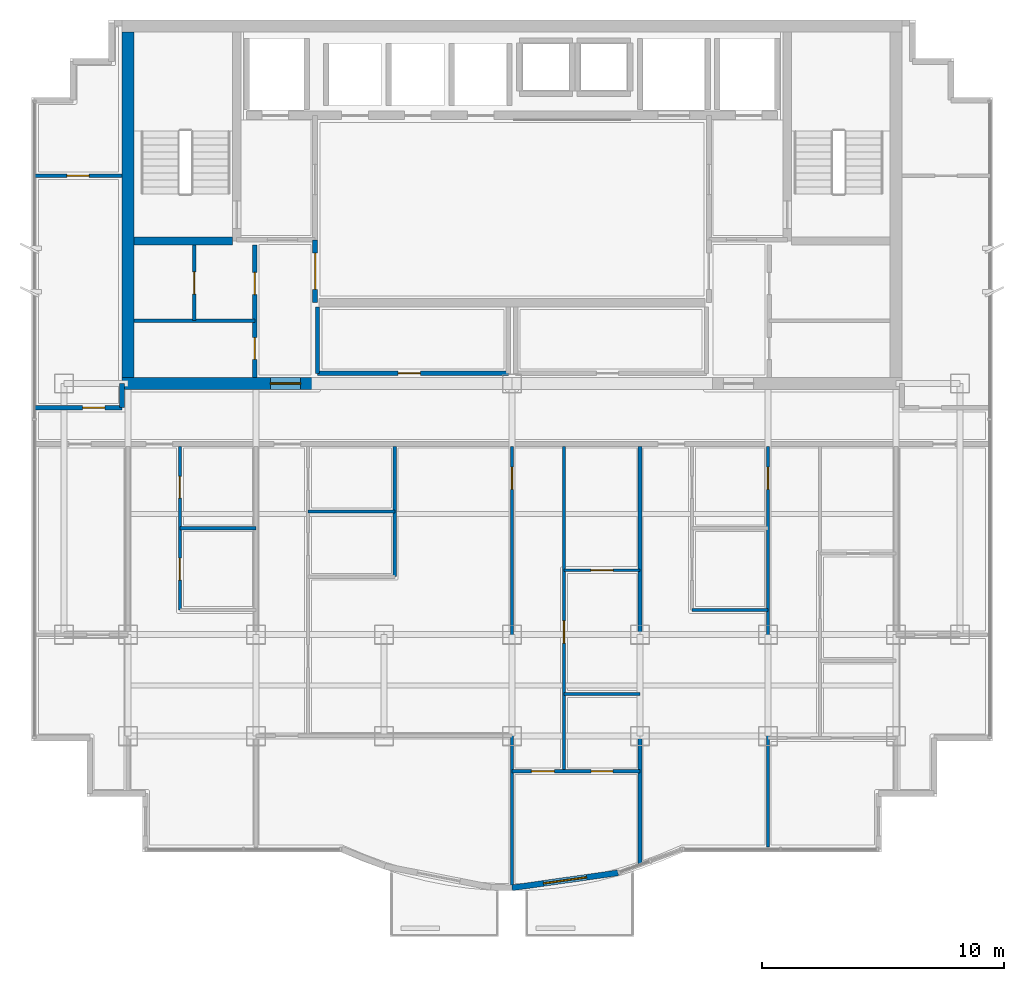
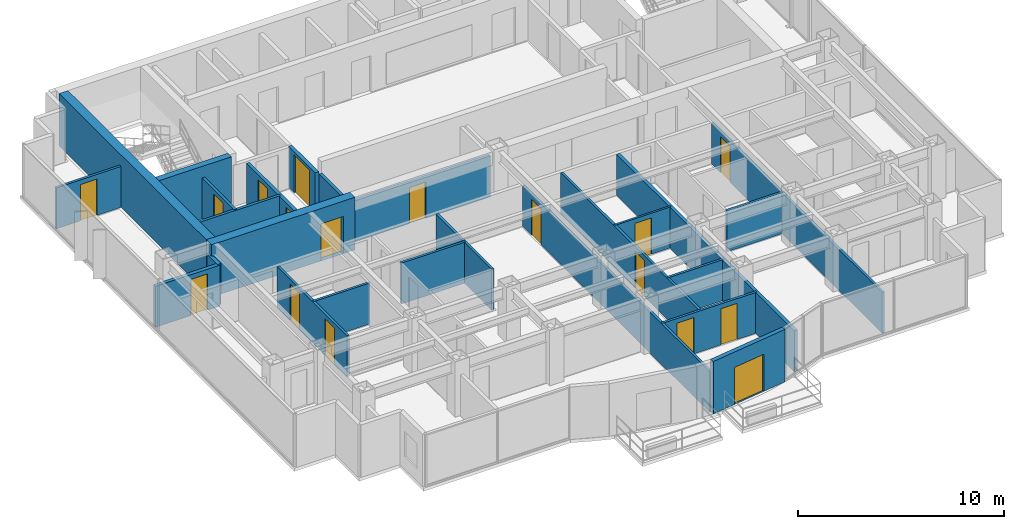
# One storey, part 7 of 12: 25 walls, 17 doors, 17 openings.
"""IFC4 building model written with IfcOpenShell, lengths in metres."""

from ifc_helpers import new_model, si_unit, direction, frame, frame_2d, origin, place, context, subcontext, project, spatial, rectangle, extrude, material, layer, layer_set, type_object, element, fill, save


model = new_model("IFC4")

# Units and contexts
model_context = context("Model", 3, precision=1e-05, world=origin(), true_north=direction((0.0, 1.0)))
body_context = subcontext(model_context, "Body", "Model", "MODEL_VIEW")
ifc_project = project(units=[si_unit("LENGTHUNIT", "METRE"), si_unit("AREAUNIT", "SQUARE_METRE"), si_unit("VOLUMEUNIT", "CUBIC_METRE"), si_unit("PLANEANGLEUNIT", "RADIAN"), si_unit("MASSUNIT", "GRAM", prefix="KILO")], contexts=[model_context])

# Site, building, storey
site_placement = place(None, origin())
site = spatial("IfcSite", under=ifc_project, at=site_placement, CompositionType="ELEMENT")
building_placement = place(site_placement, origin())
building = spatial("IfcBuilding", under=site, at=building_placement, Name="Qianlan Lanfeng Residences", CompositionType="ELEMENT")
storey_placement = place(building_placement, frame((0.0, 0.0, 200.0)))
storey = spatial("IfcBuildingStorey", under=building, at=storey_placement, Name="L54", CompositionType="ELEMENT", Elevation=200.0)

# Walls
ifc_material_1 = material(Name="Concrete C49", Category="concrete")
ifc_layer_1 = layer(ifc_material_1, 0.35009765625)
ifc_layer_set_1 = layer_set([ifc_layer_1], Name="Concrete C49")
wall_type_1 = type_object("IfcWallType", Name="CW-RC-350", PredefinedType="SHEAR", material=ifc_layer_set_1)
wall_1_placement = place(storey_placement, frame((10.85009765625, 31.10009765625, 0.0), z_axis=(0.0, 0.0, 1.0), x_axis=(1.0, 0.0, 0.0)))
element("IfcWall", 1, at=wall_1_placement, inside=storey, type_object=wall_type_1, Name="L54 Core Shear Wall ST1S", PredefinedType="SHEAR", context=body_context, shape_type="SweptSolid", body=[
    extrude(rectangle(XDim=4.074951171875, YDim=0.35009765625, at=frame_2d((2.03759765625, 0.0))), origin(), (0.0, 0.0, 1.0), 3.110107421875),
])
ifc_material_2 = material(Name="Concrete C70", Category="concrete")
ifc_layer_2 = layer(ifc_material_2, 0.5)
ifc_layer_set_2 = layer_set([ifc_layer_2], Name="Concrete C70")
wall_type_2 = type_object("IfcWallType", Name="CW-RC-500", PredefinedType="SHEAR", material=ifc_layer_set_2)
wall_2_placement = place(storey_placement, frame((10.60009765625, 25.449951171875, 0.0), z_axis=(0.0, 0.0, 1.0), x_axis=(0.0, 1.0, 0.0)))
element("IfcWall", 2, at=wall_2_placement, inside=storey, type_object=wall_type_2, Name="L54 Core Shear Wall W", PredefinedType="SHEAR", context=body_context, shape_type="SweptSolid", body=[
    extrude(rectangle(XDim=14.300048828125, YDim=0.5, at=frame_2d((7.14990234375, 0.0))), origin(), (0.0, 0.0, 1.0), 3.110107421875),
])

# Wall, opening, door
wall_3_placement = place(storey_placement, frame((10.35009765625, 25.199951171875, 0.0), z_axis=(0.0, 0.0, 1.0), x_axis=(1.0, 0.0, 0.0)))
wall_3 = element("IfcWall", 3, at=wall_3_placement, inside=storey, type_object=wall_type_2, Name="L54 Core Shear Wall SW", PredefinedType="SHEAR", context=body_context, shape_type="SweptSolid", body=[
    extrude(rectangle(XDim=8.0498046875, YDim=0.5, at=frame_2d((4.02490234375, 0.0))), origin(), (0.0, 0.0, 1.0), 3.110107421875),
])
opening_1_placement = place(wall_3_placement, frame((6.14990234375, 0.0, 0.0)))
opening_1 = element("IfcOpeningElement", 4, at=opening_1_placement, cuts=wall_3, Name="Opening L54-D01", PredefinedType="OPENING", context=body_context, shape_type="SweptSolid", body=[
    extrude(rectangle(XDim=1.25, YDim=2.199951171875, at=frame_2d((0.625, 1.10009765625))), frame((0.0, 0.260009765625, 0.0), z_axis=(0.0, -1.0, 0.0), x_axis=(1.0, 0.0, 0.0)), (0.0, 0.0, 1.0), 0.52001953125),
])
ifc_material_3 = material(Name="Painted Galvanised Steel Fire Door", Category="steel")
door_type_1 = type_object("IfcDoorType", Name="DT-FFL", OperationType="NOTDEFINED", PredefinedType="DOOR", material=ifc_material_3)
door_1_placement = place(opening_1_placement, frame((1.25, 0.0, 0.0), z_axis=(0.0, 0.0, 1.0), x_axis=(-1.0, 0.0, 0.0)))
door_1 = element("IfcDoor", 5, at=door_1_placement, inside=storey, type_object=door_type_1, Name="L54 West Core Lobby Smoke Door L54-D01 (DT-FFL)", OperationType="SINGLE_SWING_RIGHT", OverallHeight=2.199951171875, OverallWidth=1.25, PredefinedType="DOOR", context=body_context, shape_type="SweptSolid", body=[
    extrude(rectangle(XDim=1.25, YDim=2.199951171875, at=frame_2d((0.625, 1.10009765625))), frame((0.0, 0.02490234375, 0.0), z_axis=(0.0, -1.0, 0.0), x_axis=(1.0, 0.0, 0.0)), (0.0, 0.0, 1.0), 0.050048828125),
])
fill(opening_1, door_1)

ifc_material_4 = material(Name="Concrete C42", Category="concrete")
ifc_layer_3 = layer(ifc_material_4, 0.239990234375)
ifc_layer_set_3 = layer_set([ifc_layer_3], Name="Concrete C42")
wall_type_3 = type_object("IfcWallType", Name="EW-240", PredefinedType="SOLIDWALL", material=ifc_layer_set_3)
wall_4_placement = place(storey_placement, frame((26.5, 4.320068359375, 0.0), z_axis=(0.0, 0.0, 1.0), x_axis=(0.990156470874, 0.139964864115, 0.0)))
wall_4 = element("IfcWall", 6, at=wall_4_placement, inside=storey, type_object=wall_type_3, Name="L54 Terrace/Balcony Access Exterior Wall 8", PredefinedType="SOLIDWALL", context=body_context, shape_type="SweptSolid", body=[
    extrude(rectangle(XDim=4.435791015625, YDim=0.239990234375, at=frame_2d((2.2177734375, 0.0))), origin(), (0.0, 0.0, 1.0), 3.110107421875),
])
opening_2_placement = place(wall_4_placement, frame((1.318115234375, 0.0, 0.0)))
opening_2 = element("IfcOpeningElement", 7, at=opening_2_placement, cuts=wall_4, Name="Opening L54-D-SB-E", PredefinedType="OPENING", context=body_context, shape_type="SweptSolid", body=[
    extrude(rectangle(XDim=1.800048828125, YDim=2.199951171875, at=frame_2d((0.89990234375, 1.10009765625))), frame((0.0, 0.1298828125, 0.0), z_axis=(0.0, -1.0, 0.0), x_axis=(1.0, 0.0, 0.0)), (0.0, 0.0, 1.0), 0.260009765625),
])
ifc_material_5 = material(Name="Anodised Bronze Aluminium Framed Glass", Category="aluminium")
door_type_2 = type_object("IfcDoorType", Name="DT-BAL1", OperationType="NOTDEFINED", PredefinedType="DOOR", material=ifc_material_5)
door_2_placement = place(opening_2_placement, frame((1.800048828125, 0.0, 0.0), z_axis=(0.0, 0.0, 1.0), x_axis=(-1.0, 0.0, 0.0)))
door_2 = element("IfcDoor", 8, at=door_2_placement, inside=storey, type_object=door_type_2, Name="L54 Exterior Access Door SB-E", OperationType="DOUBLE_DOOR_SLIDING", OverallHeight=2.199951171875, OverallWidth=1.800048828125, PredefinedType="DOOR", context=body_context, shape_type="SweptSolid", body=[
    extrude(rectangle(XDim=1.800048828125, YDim=2.199951171875, at=frame_2d((0.89990234375, 1.10009765625))), frame((0.0, 0.02490234375, 0.0), z_axis=(0.0, -1.0, 0.0), x_axis=(1.0, 0.0, 0.0)), (0.0, 0.0, 1.0), 0.050048828125),
])
fill(opening_2, door_2)

ifc_material_6 = material(Name="Demountable Acoustic Framing Partition 110 mm")
ifc_layer_4 = layer(ifc_material_6, 0.110107421875)
ifc_layer_set_4 = layer_set([ifc_layer_4], Name="Demountable Acoustic Framing Partition 110 mm")
wall_type_4 = type_object("IfcWallType", Name="PW-110", PredefinedType="MOVABLE", material=ifc_layer_set_4)
wall_5_placement = place(storey_placement, frame((28.64990234375, 17.47412109375, 0.0), z_axis=(0.0, 0.0, 1.0), x_axis=(1.0, 0.0, 0.0)))
wall_5 = element("IfcWall", 9, at=wall_5_placement, inside=storey, type_object=wall_type_4, Name="L54 U02 Wardrobe Split", PredefinedType="MOVABLE", context=body_context, shape_type="SweptSolid", body=[
    extrude(rectangle(XDim=3.150146484375, YDim=0.110107421875, at=frame_2d((1.5751953125, 0.0))), origin(), (0.0, 0.0, 1.0), 2.429931640625),
])
opening_3_placement = place(wall_5_placement, frame((1.114990234375, 0.0, 0.0)))
opening_3 = element("IfcOpeningElement", 10, at=opening_3_placement, cuts=wall_5, Name="Opening L54-D30", PredefinedType="OPENING", context=body_context, shape_type="SweptSolid", body=[
    extrude(rectangle(XDim=0.919921875, YDim=2.14990234375, at=frame_2d((0.4599609375, 1.074951171875))), frame((0.0, 0.06494140625, 0.0), z_axis=(0.0, -1.0, 0.0), x_axis=(1.0, 0.0, 0.0)), (0.0, 0.0, 1.0), 0.130126953125),
])
ifc_material_7 = material(Name="Glazed Timber Kitchen/Study Door", Category="wood")
door_type_3 = type_object("IfcDoorType", Name="DT-INT", OperationType="NOTDEFINED", PredefinedType="DOOR", material=ifc_material_7)
door_3_placement = place(opening_3_placement, origin())
door_3 = element("IfcDoor", 11, at=door_3_placement, inside=storey, type_object=door_type_3, Name="L54 U02 Dressing Inner Door L54-D30 (DT-INT)", OperationType="SINGLE_SWING_RIGHT", OverallHeight=2.14990234375, OverallWidth=0.919921875, PredefinedType="DOOR", context=body_context, shape_type="SweptSolid", body=[
    extrude(rectangle(XDim=0.919921875, YDim=2.14990234375, at=frame_2d((0.4599609375, 1.074951171875))), frame((0.0, 0.02490234375, 0.0), z_axis=(0.0, -1.0, 0.0), x_axis=(1.0, 0.0, 0.0)), (0.0, 0.0, 1.0), 0.050048828125),
])
fill(opening_3, door_3)

# Wall, openings, doors
ifc_material_8 = material(Name="Moisture-Resistant Gypsum Partition 135 mm")
ifc_layer_5 = layer(ifc_material_8, 0.135009765625)
ifc_layer_set_5 = layer_set([ifc_layer_5], Name="Moisture-Resistant Gypsum Partition 135 mm")
wall_type_5 = type_object("IfcWallType", Name="PW-135", PredefinedType="PARTITIONING", material=ifc_layer_set_5)
wall_6_placement = place(storey_placement, frame((12.75, 15.820068359375, 0.0), z_axis=(0.0, 0.0, 1.0), x_axis=(0.0, 1.0, 0.0)))
wall_6 = element("IfcWall", 12, at=wall_6_placement, inside=storey, type_object=wall_type_5, Name="L54 U01 Wet Stack Spine", PredefinedType="PARTITIONING", context=body_context, shape_type="SweptSolid", body=[
    extrude(rectangle(XDim=6.780029296875, YDim=0.135009765625, at=frame_2d((3.39013671875, 0.0))), origin(), (0.0, 0.0, 1.0), 2.429931640625),
])
opening_4_placement = place(wall_6_placement, frame((1.235107421875, 0.0, 0.0)))
opening_4 = element("IfcOpeningElement", 13, at=opening_4_placement, cuts=wall_6, Name="Opening L54-D19", PredefinedType="OPENING", context=body_context, shape_type="SweptSolid", body=[
    extrude(rectangle(XDim=0.919921875, YDim=2.14990234375, at=frame_2d((0.4599609375, 1.074951171875))), frame((0.0, 0.07763671875, 0.0), z_axis=(0.0, -1.0, 0.0), x_axis=(1.0, 0.0, 0.0)), (0.0, 0.0, 1.0), 0.155029296875),
])
opening_5_placement = place(wall_6_placement, frame((4.635009765625, 0.0, 0.0)))
opening_5 = element("IfcOpeningElement", 14, at=opening_5_placement, cuts=wall_6, Name="Opening L54-D20", PredefinedType="OPENING", context=body_context, shape_type="SweptSolid", body=[
    extrude(rectangle(XDim=0.89990234375, YDim=2.14990234375, at=frame_2d((0.449951171875, 1.074951171875))), frame((0.0, 0.07763671875, 0.0), z_axis=(0.0, -1.0, 0.0), x_axis=(1.0, 0.0, 0.0)), (0.0, 0.0, 1.0), 0.155029296875),
])
door_4_placement = place(opening_4_placement, origin())
door_4 = element("IfcDoor", 15, at=door_4_placement, inside=storey, type_object=door_type_3, Name="L54 U01 Kitchen Door L54-D19 (DT-INT)", OperationType="SINGLE_SWING_LEFT", OverallHeight=2.14990234375, OverallWidth=0.919921875, PredefinedType="DOOR", context=body_context, shape_type="SweptSolid", body=[
    extrude(rectangle(XDim=0.919921875, YDim=2.14990234375, at=frame_2d((0.4599609375, 1.074951171875))), frame((0.0, 0.02490234375, 0.0), z_axis=(0.0, -1.0, 0.0), x_axis=(1.0, 0.0, 0.0)), (0.0, 0.0, 1.0), 0.050048828125),
])
fill(opening_4, door_4)
ifc_material_9 = material(Name="Moisture-Resistant Timber Leaf", Category="wood")
door_type_4 = type_object("IfcDoorType", Name="DT-WC", OperationType="NOTDEFINED", PredefinedType="DOOR", material=ifc_material_9)
door_5_placement = place(opening_5_placement, origin())
door_5 = element("IfcDoor", 16, at=door_5_placement, inside=storey, type_object=door_type_4, Name="L54 U01 Bathroom Door L54-D20 (DT-WC)", OperationType="SINGLE_SWING_RIGHT", OverallHeight=2.14990234375, OverallWidth=0.89990234375, PredefinedType="DOOR", context=body_context, shape_type="SweptSolid", body=[
    extrude(rectangle(XDim=0.89990234375, YDim=2.14990234375, at=frame_2d((0.449951171875, 1.074951171875))), frame((0.0, 0.02490234375, 0.0), z_axis=(0.0, -1.0, 0.0), x_axis=(1.0, 0.0, 0.0)), (0.0, 0.0, 1.0), 0.050048828125),
])
fill(opening_5, door_5)

# Wall
wall_7_placement = place(storey_placement, frame((12.75, 19.2099609375, 0.0), z_axis=(0.0, 0.0, 1.0), x_axis=(1.0, 0.0, 0.0)))
element("IfcWall", 17, at=wall_7_placement, inside=storey, type_object=wall_type_5, Name="L54 U01 Bathroom South Wall", PredefinedType="PARTITIONING", context=body_context, shape_type="SweptSolid", body=[
    extrude(rectangle(XDim=3.14990234375, YDim=0.135009765625, at=frame_2d((1.574951171875, 0.0))), origin(), (0.0, 0.0, 1.0), 2.429931640625),
])

# Wall, opening, door
wall_8_placement = place(storey_placement, frame((26.5, 4.419921875, 0.0), z_axis=(0.0, 0.0, 1.0), x_axis=(0.0, 1.0, 0.0)))
wall_8 = element("IfcWall", 18, at=wall_8_placement, inside=storey, type_object=wall_type_5, Name="L54 U02 Bay Spine Wall 1", PredefinedType="PARTITIONING", context=body_context, shape_type="SweptSolid", body=[
    extrude(rectangle(XDim=18.18017578125, YDim=0.135009765625, at=frame_2d((9.090087890625, 0.0))), origin(), (0.0, 0.0, 1.0), 2.429931640625),
])
opening_6_placement = place(wall_8_placement, frame((16.39501953125, 0.0, 0.0)))
opening_6 = element("IfcOpeningElement", 19, at=opening_6_placement, cuts=wall_8, Name="Opening L54-D22", PredefinedType="OPENING", context=body_context, shape_type="SweptSolid", body=[
    extrude(rectangle(XDim=0.919921875, YDim=2.14990234375, at=frame_2d((0.4599609375, 1.074951171875))), frame((0.0, 0.07763671875, 0.0), z_axis=(0.0, -1.0, 0.0), x_axis=(1.0, 0.0, 0.0)), (0.0, 0.0, 1.0), 0.155029296875),
])
door_6_placement = place(opening_6_placement, origin())
door_6 = element("IfcDoor", 20, at=door_6_placement, inside=storey, type_object=door_type_3, Name="L54 U02 Internal Hall Door L54-D22 (DT-INT)", OperationType="SINGLE_SWING_RIGHT", OverallHeight=2.14990234375, OverallWidth=0.919921875, PredefinedType="DOOR", context=body_context, shape_type="SweptSolid", body=[
    extrude(rectangle(XDim=0.919921875, YDim=2.14990234375, at=frame_2d((0.4599609375, 1.074951171875))), frame((0.0, 0.02490234375, 0.0), z_axis=(0.0, -1.0, 0.0), x_axis=(1.0, 0.0, 0.0)), (0.0, 0.0, 1.0), 0.050048828125),
])
fill(opening_6, door_6)

# Walls
wall_9_placement = place(storey_placement, frame((21.64990234375, 17.199951171875, 0.0), z_axis=(0.0, 0.0, 1.0), x_axis=(0.0, 1.0, 0.0)))
element("IfcWall", 21, at=wall_9_placement, inside=storey, type_object=wall_type_5, Name="L54 U02 Dining East Wall", PredefinedType="PARTITIONING", context=body_context, shape_type="SweptSolid", body=[
    extrude(rectangle(XDim=5.400146484375, YDim=0.135009765625, at=frame_2d((2.7001953125, 0.0))), origin(), (0.0, 0.0, 1.0), 2.429931640625),
])
wall_10_placement = place(storey_placement, frame((18.050048828125, 19.89990234375, 0.0), z_axis=(0.0, 0.0, 1.0), x_axis=(1.0, 0.0, 0.0)))
element("IfcWall", 22, at=wall_10_placement, inside=storey, type_object=wall_type_5, Name="L54 U02 Bathroom South Wall", PredefinedType="PARTITIONING", context=body_context, shape_type="SweptSolid", body=[
    extrude(rectangle(XDim=3.599853515625, YDim=0.135009765625, at=frame_2d((1.7998046875, 0.0))), origin(), (0.0, 0.0, 1.0), 2.429931640625),
])

# Wall, openings, doors
wall_11_placement = place(storey_placement, frame((26.5, 9.14794921875, 0.0), z_axis=(0.0, 0.0, 1.0), x_axis=(1.0, 0.0, 0.0)))
wall_11 = element("IfcWall", 23, at=wall_11_placement, inside=storey, type_object=wall_type_5, Name="L54 U02 Master Bedroom North Wall", PredefinedType="PARTITIONING", context=body_context, shape_type="SweptSolid", body=[
    extrude(rectangle(XDim=5.300048828125, YDim=0.135009765625, at=frame_2d((2.64990234375, 0.0))), origin(), (0.0, 0.0, 1.0), 2.429931640625),
])
opening_7_placement = place(wall_11_placement, frame((0.800048828125, 0.0, 0.0)))
opening_7 = element("IfcOpeningElement", 24, at=opening_7_placement, cuts=wall_11, Name="Opening L54-D27", PredefinedType="OPENING", context=body_context, shape_type="SweptSolid", body=[
    extrude(rectangle(XDim=0.949951171875, YDim=2.14990234375, at=frame_2d((0.47509765625, 1.074951171875))), frame((0.0, 0.07763671875, 0.0), z_axis=(0.0, -1.0, 0.0), x_axis=(1.0, 0.0, 0.0)), (0.0, 0.0, 1.0), 0.155029296875),
])
opening_8_placement = place(wall_11_placement, frame((3.27490234375, 0.0, 0.0)))
opening_8 = element("IfcOpeningElement", 25, at=opening_8_placement, cuts=wall_11, Name="Opening L54-D28", PredefinedType="OPENING", context=body_context, shape_type="SweptSolid", body=[
    extrude(rectangle(XDim=0.89990234375, YDim=2.14990234375, at=frame_2d((0.449951171875, 1.074951171875))), frame((0.0, 0.07763671875, 0.0), z_axis=(0.0, -1.0, 0.0), x_axis=(1.0, 0.0, 0.0)), (0.0, 0.0, 1.0), 0.155029296875),
])
ifc_material_10 = material(Name="Painted Solid-Core Timber Leaf", Category="wood")
door_type_5 = type_object("IfcDoorType", Name="DT-BED", OperationType="NOTDEFINED", PredefinedType="DOOR", material=ifc_material_10)
door_7_placement = place(opening_7_placement, origin())
door_7 = element("IfcDoor", 26, at=door_7_placement, inside=storey, type_object=door_type_5, Name="L54 U02 Master Bedroom Door L54-D27 (DT-BED)", OperationType="SINGLE_SWING_LEFT", OverallHeight=2.14990234375, OverallWidth=0.949951171875, PredefinedType="DOOR", context=body_context, shape_type="SweptSolid", body=[
    extrude(rectangle(XDim=0.949951171875, YDim=2.14990234375, at=frame_2d((0.47509765625, 1.074951171875))), frame((0.0, 0.02490234375, 0.0), z_axis=(0.0, -1.0, 0.0), x_axis=(1.0, 0.0, 0.0)), (0.0, 0.0, 1.0), 0.050048828125),
])
fill(opening_7, door_7)
door_8_placement = place(opening_8_placement, origin())
door_8 = element("IfcDoor", 27, at=door_8_placement, inside=storey, type_object=door_type_4, Name="L54 U02 En-Suite Bathroom Door L54-D28 (DT-WC)", OperationType="SINGLE_SWING_RIGHT", OverallHeight=2.14990234375, OverallWidth=0.89990234375, PredefinedType="DOOR", context=body_context, shape_type="SweptSolid", body=[
    extrude(rectangle(XDim=0.89990234375, YDim=2.14990234375, at=frame_2d((0.449951171875, 1.074951171875))), frame((0.0, 0.02490234375, 0.0), z_axis=(0.0, -1.0, 0.0), x_axis=(1.0, 0.0, 0.0)), (0.0, 0.0, 1.0), 0.050048828125),
])
fill(opening_8, door_8)

# Wall, opening, door
wall_12_placement = place(storey_placement, frame((28.64990234375, 9.14794921875, 0.0), z_axis=(0.0, 0.0, 1.0), x_axis=(0.0, 1.0, 0.0)))
wall_12 = element("IfcWall", 28, at=wall_12_placement, inside=storey, type_object=wall_type_5, Name="L54 U02 Master Passage Wall", PredefinedType="PARTITIONING", context=body_context, shape_type="SweptSolid", body=[
    extrude(rectangle(XDim=13.4521484375, YDim=0.135009765625, at=frame_2d((6.72607421875, 0.0))), origin(), (0.0, 0.0, 1.0), 2.429931640625),
])
opening_9_placement = place(wall_12_placement, frame((5.302978515625, 0.0, 0.0)))
opening_9 = element("IfcOpeningElement", 29, at=opening_9_placement, cuts=wall_12, Name="Opening L54-D29", PredefinedType="OPENING", context=body_context, shape_type="SweptSolid", body=[
    extrude(rectangle(XDim=0.919921875, YDim=2.14990234375, at=frame_2d((0.4599609375, 1.074951171875))), frame((0.0, 0.07763671875, 0.0), z_axis=(0.0, -1.0, 0.0), x_axis=(1.0, 0.0, 0.0)), (0.0, 0.0, 1.0), 0.155029296875),
])
door_9_placement = place(opening_9_placement, origin())
door_9 = element("IfcDoor", 30, at=door_9_placement, inside=storey, type_object=door_type_3, Name="L54 U02 Wardrobe Door L54-D29 (DT-INT)", OperationType="SINGLE_SWING_LEFT", OverallHeight=2.14990234375, OverallWidth=0.919921875, PredefinedType="DOOR", context=body_context, shape_type="SweptSolid", body=[
    extrude(rectangle(XDim=0.919921875, YDim=2.14990234375, at=frame_2d((0.4599609375, 1.074951171875))), frame((0.0, 0.02490234375, 0.0), z_axis=(0.0, -1.0, 0.0), x_axis=(1.0, 0.0, 0.0)), (0.0, 0.0, 1.0), 0.050048828125),
])
fill(opening_9, door_9)

# Wall
wall_13_placement = place(storey_placement, frame((28.64990234375, 12.347900390625, 0.0), z_axis=(0.0, 0.0, 1.0), x_axis=(1.0, 0.0, 0.0)))
element("IfcWall", 31, at=wall_13_placement, inside=storey, type_object=wall_type_5, Name="L54 U02 En-Suite North Wall", PredefinedType="PARTITIONING", context=body_context, shape_type="SweptSolid", body=[
    extrude(rectangle(XDim=3.150146484375, YDim=0.135009765625, at=frame_2d((1.5751953125, 0.0))), origin(), (0.0, 0.0, 1.0), 2.429931640625),
])

# Wall, opening, door
wall_14_placement = place(storey_placement, frame((37.10009765625, 6.02001953125, 0.0), z_axis=(0.0, 0.0, 1.0), x_axis=(0.0, 1.0, 0.0)))
wall_14 = element("IfcWall", 32, at=wall_14_placement, inside=storey, type_object=wall_type_5, Name="L54 U03 Bay Spine Wall 1", PredefinedType="PARTITIONING", context=body_context, shape_type="SweptSolid", body=[
    extrude(rectangle(XDim=16.580078125, YDim=0.135009765625, at=frame_2d((8.2900390625, 0.0))), origin(), (0.0, 0.0, 1.0), 2.429931640625),
])
opening_10_placement = place(wall_14_placement, frame((14.794921875, 0.0, 0.0)))
opening_10 = element("IfcOpeningElement", 33, at=opening_10_placement, cuts=wall_14, Name="Opening L54-D32", PredefinedType="OPENING", context=body_context, shape_type="SweptSolid", body=[
    extrude(rectangle(XDim=0.919921875, YDim=2.14990234375, at=frame_2d((0.4599609375, 1.074951171875))), frame((0.0, 0.07763671875, 0.0), z_axis=(0.0, -1.0, 0.0), x_axis=(1.0, 0.0, 0.0)), (0.0, 0.0, 1.0), 0.155029296875),
])
door_10_placement = place(opening_10_placement, origin())
door_10 = element("IfcDoor", 34, at=door_10_placement, inside=storey, type_object=door_type_3, Name="L54 U03 Internal Hall Door L54-D32 (DT-INT)", OperationType="SINGLE_SWING_RIGHT", OverallHeight=2.14990234375, OverallWidth=0.919921875, PredefinedType="DOOR", context=body_context, shape_type="SweptSolid", body=[
    extrude(rectangle(XDim=0.919921875, YDim=2.14990234375, at=frame_2d((0.4599609375, 1.074951171875))), frame((0.0, 0.02490234375, 0.0), z_axis=(0.0, -1.0, 0.0), x_axis=(1.0, 0.0, 0.0)), (0.0, 0.0, 1.0), 0.050048828125),
])
fill(opening_10, door_10)

# Wall
wall_15_placement = place(storey_placement, frame((33.949951171875, 15.820068359375, 0.0), z_axis=(0.0, 0.0, 1.0), x_axis=(1.0, 0.0, 0.0)))
element("IfcWall", 35, at=wall_15_placement, inside=storey, type_object=wall_type_5, Name="L54 U03 Kitchen South Wall", PredefinedType="PARTITIONING", context=body_context, shape_type="SweptSolid", body=[
    extrude(rectangle(XDim=3.150146484375, YDim=0.135009765625, at=frame_2d((1.5751953125, 0.0))), origin(), (0.0, 0.0, 1.0), 2.429931640625),
])

# Wall, opening, door
wall_16_placement = place(storey_placement, frame((6.719970703125, 33.800048828125, 0.0), z_axis=(0.0, 0.0, 1.0), x_axis=(1.0, 0.0, 0.0)))
wall_16 = element("IfcWall", 36, at=wall_16_placement, inside=storey, type_object=wall_type_5, Name="L54 WW North Wing Wall", PredefinedType="PARTITIONING", context=body_context, shape_type="SweptSolid", body=[
    extrude(rectangle(XDim=3.630126953125, YDim=0.135009765625, at=frame_2d((1.81494140625, 0.0))), origin(), (0.0, 0.0, 1.0), 2.429931640625),
])
opening_11_placement = place(wall_16_placement, frame((1.35498046875, 0.0, 0.0)))
opening_11 = element("IfcOpeningElement", 37, at=opening_11_placement, cuts=wall_16, Name="Opening L54-D43", PredefinedType="OPENING", context=body_context, shape_type="SweptSolid", body=[
    extrude(rectangle(XDim=0.919921875, YDim=2.14990234375, at=frame_2d((0.4599609375, 1.074951171875))), frame((0.0, 0.07763671875, 0.0), z_axis=(0.0, -1.0, 0.0), x_axis=(1.0, 0.0, 0.0)), (0.0, 0.0, 1.0), 0.155029296875),
])
door_11_placement = place(opening_11_placement, origin())
door_11 = element("IfcDoor", 38, at=door_11_placement, inside=storey, type_object=door_type_3, Name="L54 WW Inner Salon Door L54-D43 (DT-INT)", OperationType="SINGLE_SWING_LEFT", OverallHeight=2.14990234375, OverallWidth=0.919921875, PredefinedType="DOOR", context=body_context, shape_type="SweptSolid", body=[
    extrude(rectangle(XDim=0.919921875, YDim=2.14990234375, at=frame_2d((0.4599609375, 1.074951171875))), frame((0.0, 0.02490234375, 0.0), z_axis=(0.0, -1.0, 0.0), x_axis=(1.0, 0.0, 0.0)), (0.0, 0.0, 1.0), 0.050048828125),
])
fill(opening_11, door_11)

# Wall
ifc_material_11 = material(Name="Acoustic Drywall Partition 150 mm")
ifc_layer_6 = layer(ifc_material_11, 0.14990234375)
ifc_layer_set_6 = layer_set([ifc_layer_6], Name="Acoustic Drywall Partition 150 mm")
wall_type_6 = type_object("IfcWallType", Name="PW-150", PredefinedType="PARTITIONING", material=ifc_layer_set_6)
wall_17_placement = place(storey_placement, frame((10.85009765625, 27.800048828125, 0.0), z_axis=(0.0, 0.0, 1.0), x_axis=(1.0, 0.0, 0.0)))
element("IfcWall", 39, at=wall_17_placement, inside=storey, type_object=wall_type_6, Name="L54 Core West H4", PredefinedType="PARTITIONING", context=body_context, shape_type="SweptSolid", body=[
    extrude(rectangle(XDim=5.0, YDim=0.14990234375, at=frame_2d((2.5, 0.0))), origin(), (0.0, 0.0, 1.0), 2.429931640625),
])

# Wall, opening, door
wall_18_placement = place(storey_placement, frame((13.35009765625, 27.800048828125, 0.0), z_axis=(0.0, 0.0, 1.0), x_axis=(0.0, 1.0, 0.0)))
wall_18 = element("IfcWall", 40, at=wall_18_placement, inside=storey, type_object=wall_type_6, Name="L54 Core West V4", PredefinedType="PARTITIONING", context=body_context, shape_type="SweptSolid", body=[
    extrude(rectangle(XDim=3.125, YDim=0.14990234375, at=frame_2d((1.5625, 0.0))), origin(), (0.0, 0.0, 1.0), 2.429931640625),
])
opening_12_placement = place(wall_18_placement, frame((1.10302734375, 0.0, 0.0)))
opening_12 = element("IfcOpeningElement", 41, at=opening_12_placement, cuts=wall_18, Name="Opening L54-D11", PredefinedType="OPENING", context=body_context, shape_type="SweptSolid", body=[
    extrude(rectangle(XDim=0.919921875, YDim=2.14990234375, at=frame_2d((0.4599609375, 1.074951171875))), frame((0.0, 0.0849609375, 0.0), z_axis=(0.0, -1.0, 0.0), x_axis=(1.0, 0.0, 0.0)), (0.0, 0.0, 1.0), 0.169921875),
])
door_12_placement = place(opening_12_placement, origin())
door_12 = element("IfcDoor", 42, at=door_12_placement, inside=storey, type_object=door_type_3, Name="L54 Linen Store Door L54-D11 (DT-INT)", OperationType="SINGLE_SWING_LEFT", OverallHeight=2.14990234375, OverallWidth=0.919921875, PredefinedType="DOOR", context=body_context, shape_type="SweptSolid", body=[
    extrude(rectangle(XDim=0.919921875, YDim=2.14990234375, at=frame_2d((0.4599609375, 1.074951171875))), frame((0.0, 0.02490234375, 0.0), z_axis=(0.0, -1.0, 0.0), x_axis=(1.0, 0.0, 0.0)), (0.0, 0.0, 1.0), 0.050048828125),
])
fill(opening_12, door_12)

# Wall, openings, doors
ifc_material_12 = material(Name="Double-Layer Acoustic Gypsum Stud Wall 180 mm")
ifc_layer_7 = layer(ifc_material_12, 0.179931640625)
ifc_layer_set_7 = layer_set([ifc_layer_7], Name="Double-Layer Acoustic Gypsum Stud Wall 180 mm")
wall_type_7 = type_object("IfcWallType", Name="PW-180", PredefinedType="PARTITIONING", material=ifc_layer_set_7)
wall_19_placement = place(storey_placement, frame((15.85009765625, 25.449951171875, 0.0), z_axis=(0.0, 0.0, 1.0), x_axis=(0.0, 1.0, 0.0)))
wall_19 = element("IfcWall", 43, at=wall_19_placement, inside=storey, type_object=wall_type_7, Name="L54 Core West Service Room Wall", PredefinedType="PARTITIONING", context=body_context, shape_type="SweptSolid", body=[
    extrude(rectangle(XDim=5.47509765625, YDim=0.179931640625, at=frame_2d((2.737548828125, 0.0))), origin(), (0.0, 0.0, 1.0), 2.429931640625),
])
opening_13_placement = place(wall_19_placement, frame((0.75, 0.0, 0.0)))
opening_13 = element("IfcOpeningElement", 44, at=opening_13_placement, cuts=wall_19, Name="Opening L54-D09", PredefinedType="OPENING", context=body_context, shape_type="SweptSolid", body=[
    extrude(rectangle(XDim=0.89990234375, YDim=2.14990234375, at=frame_2d((0.449951171875, 1.074951171875))), frame((0.0, 0.10009765625, 0.0), z_axis=(0.0, -1.0, 0.0), x_axis=(1.0, 0.0, 0.0)), (0.0, 0.0, 1.0), 0.199951171875),
])
opening_14_placement = place(wall_19_placement, frame((3.427001953125, 0.0, 0.0)))
opening_14 = element("IfcOpeningElement", 45, at=opening_14_placement, cuts=wall_19, Name="Opening L54-D10", PredefinedType="OPENING", context=body_context, shape_type="SweptSolid", body=[
    extrude(rectangle(XDim=0.919921875, YDim=2.14990234375, at=frame_2d((0.4599609375, 1.074951171875))), frame((0.0, 0.10009765625, 0.0), z_axis=(0.0, -1.0, 0.0), x_axis=(1.0, 0.0, 0.0)), (0.0, 0.0, 1.0), 0.199951171875),
])
door_13_placement = place(opening_14_placement, origin())
door_13 = element("IfcDoor", 46, at=door_13_placement, inside=storey, type_object=door_type_3, Name="L54 Janitor Hall Door L54-D10 (DT-INT)", OperationType="SINGLE_SWING_RIGHT", OverallHeight=2.14990234375, OverallWidth=0.919921875, PredefinedType="DOOR", context=body_context, shape_type="SweptSolid", body=[
    extrude(rectangle(XDim=0.919921875, YDim=2.14990234375, at=frame_2d((0.4599609375, 1.074951171875))), frame((0.0, 0.02490234375, 0.0), z_axis=(0.0, -1.0, 0.0), x_axis=(1.0, 0.0, 0.0)), (0.0, 0.0, 1.0), 0.050048828125),
])
fill(opening_14, door_13)
door_14_placement = place(opening_13_placement, origin())
door_14 = element("IfcDoor", 47, at=door_14_placement, inside=storey, type_object=door_type_4, Name="L54 Staff WC Door L54-D09 (DT-WC)", OperationType="SINGLE_SWING_LEFT", OverallHeight=2.14990234375, OverallWidth=0.89990234375, PredefinedType="DOOR", context=body_context, shape_type="SweptSolid", body=[
    extrude(rectangle(XDim=0.89990234375, YDim=2.14990234375, at=frame_2d((0.449951171875, 1.074951171875))), frame((0.0, 0.02490234375, 0.0), z_axis=(0.0, -1.0, 0.0), x_axis=(1.0, 0.0, 0.0)), (0.0, 0.0, 1.0), 0.050048828125),
])
fill(opening_13, door_14)

# Wall
wall_20_placement = place(storey_placement, frame((18.449951171875, 25.6201171875, 0.0), z_axis=(0.0, 0.0, 1.0), x_axis=(0.0, 1.0, 0.0)))
element("IfcWall", 48, at=wall_20_placement, inside=storey, type_object=wall_type_7, Name="L54 Reclaimed Low-Bank Room West Wall", PredefinedType="PARTITIONING", context=body_context, shape_type="SweptSolid", body=[
    extrude(rectangle(XDim=2.7548828125, YDim=0.179931640625, at=frame_2d((1.37744140625, 0.0))), origin(), (0.0, 0.0, 1.0), 2.429931640625),
])

# Wall, opening, door
wall_21_placement = place(storey_placement, frame((18.449951171875, 25.6201171875, 0.0), z_axis=(0.0, 0.0, 1.0), x_axis=(1.0, 0.0, 0.0)))
wall_21 = element("IfcWall", 49, at=wall_21_placement, inside=storey, type_object=wall_type_7, Name="L54 Reclaimed Low-Bank Room South Wall", PredefinedType="PARTITIONING", context=body_context, shape_type="SweptSolid", body=[
    extrude(rectangle(XDim=7.900146484375, YDim=0.179931640625, at=frame_2d((3.9501953125, 0.0))), origin(), (0.0, 0.0, 1.0), 2.429931640625),
])
opening_15_placement = place(wall_21_placement, frame((3.340087890625, 0.0, 0.0)))
opening_15 = element("IfcOpeningElement", 50, at=opening_15_placement, cuts=wall_21, Name="Opening L54-D16", PredefinedType="OPENING", context=body_context, shape_type="SweptSolid", body=[
    extrude(rectangle(XDim=0.919921875, YDim=2.14990234375, at=frame_2d((0.4599609375, 1.074951171875))), frame((0.0, 0.10009765625, 0.0), z_axis=(0.0, -1.0, 0.0), x_axis=(1.0, 0.0, 0.0)), (0.0, 0.0, 1.0), 0.199951171875),
])
door_15_placement = place(opening_15_placement, origin())
door_15 = element("IfcDoor", 51, at=door_15_placement, inside=storey, type_object=door_type_3, Name="L54 Reclaimed Core Salon Door L54-D16 (DT-INT)", OperationType="SINGLE_SWING_RIGHT", OverallHeight=2.14990234375, OverallWidth=0.919921875, PredefinedType="DOOR", context=body_context, shape_type="SweptSolid", body=[
    extrude(rectangle(XDim=0.919921875, YDim=2.14990234375, at=frame_2d((0.4599609375, 1.074951171875))), frame((0.0, 0.02490234375, 0.0), z_axis=(0.0, -1.0, 0.0), x_axis=(1.0, 0.0, 0.0)), (0.0, 0.0, 1.0), 0.050048828125),
])
fill(opening_15, door_15)

# Wall
wall_22_placement = place(storey_placement, frame((31.800048828125, 5.3310546875, 0.0), z_axis=(0.0, 0.0, 1.0), x_axis=(0.0, 1.0, 0.0)))
element("IfcWall", 52, at=wall_22_placement, inside=storey, type_object=wall_type_7, Name="L54 Inter-Tenancy Party Wall 3", PredefinedType="PARTITIONING", context=body_context, shape_type="SweptSolid", body=[
    extrude(rectangle(XDim=17.26904296875, YDim=0.179931640625, at=frame_2d((8.634521484375, 0.0))), origin(), (0.0, 0.0, 1.0), 2.429931640625),
])

# Wall, opening, door
ifc_material_13 = material(Name="Autoclaved Aerated Concrete Blockwork 200 mm", Category="masonry")
ifc_layer_8 = layer(ifc_material_13, 0.199951171875)
ifc_layer_set_8 = layer_set([ifc_layer_8], Name="Autoclaved Aerated Concrete Blockwork 200 mm")
wall_type_8 = type_object("IfcWallType", Name="PW-200", PredefinedType="PARTITIONING", material=ifc_layer_set_8)
wall_23_placement = place(storey_placement, frame((18.35009765625, 28.550048828125, 0.0), z_axis=(0.0, 0.0, 1.0), x_axis=(0.0, 1.0, 0.0)))
wall_23 = element("IfcWall", 53, at=wall_23_placement, inside=storey, type_object=wall_type_8, Name="L54 Lift Lobby West Connector Wall", PredefinedType="PARTITIONING", context=body_context, shape_type="SweptSolid", body=[
    extrude(rectangle(XDim=2.599853515625, YDim=0.199951171875, at=frame_2d((1.2998046875, 0.0))), origin(), (0.0, 0.0, 1.0), 2.429931640625),
])
opening_16_placement = place(wall_23_placement, frame((0.550048828125, 0.0, 0.0)))
opening_16 = element("IfcOpeningElement", 54, at=opening_16_placement, cuts=wall_23, Name="Opening L54-D14", PredefinedType="OPENING", context=body_context, shape_type="SweptSolid", body=[
    extrude(rectangle(XDim=1.5, YDim=2.25, at=frame_2d((0.75, 1.125))), frame((0.0, 0.10986328125, 0.0), z_axis=(0.0, -1.0, 0.0), x_axis=(1.0, 0.0, 0.0)), (0.0, 0.0, 1.0), 0.219970703125),
])
ifc_material_14 = material(Name="Timber Veneer Acoustic Fire Door", Category="wood")
door_type_6 = type_object("IfcDoorType", Name="DT-COR1", OperationType="NOTDEFINED", PredefinedType="DOOR", material=ifc_material_14)
door_16_placement = place(opening_16_placement, origin())
door_16 = element("IfcDoor", 55, at=door_16_placement, inside=storey, type_object=door_type_6, Name="L54 Lift Lobby West Portal Door L54-D14 (DT-COR1)", OperationType="DOUBLE_DOOR_SINGLE_SWING", OverallHeight=2.25, OverallWidth=1.5, PredefinedType="DOOR", context=body_context, shape_type="SweptSolid", body=[
    extrude(rectangle(XDim=1.5, YDim=2.25, at=frame_2d((0.75, 1.125))), frame((0.0, 0.02490234375, 0.0), z_axis=(0.0, -1.0, 0.0), x_axis=(1.0, 0.0, 0.0)), (0.0, 0.0, 1.0), 0.050048828125),
])
fill(opening_16, door_16)

wall_24_placement = place(storey_placement, frame((6.719970703125, 24.199951171875, 0.0), z_axis=(0.0, 0.0, 1.0), x_axis=(1.0, 0.0, 0.0)))
wall_24 = element("IfcWall", 56, at=wall_24_placement, inside=storey, type_object=wall_type_8, Name="L54 Corridor NW Wall", PredefinedType="PARTITIONING", context=body_context, shape_type="SweptSolid", body=[
    extrude(rectangle(XDim=3.630126953125, YDim=0.199951171875, at=frame_2d((1.81494140625, 0.0))), origin(), (0.0, 0.0, 1.0), 2.429931640625),
])
opening_17_placement = place(wall_24_placement, frame((2.0048828125, 0.0, 0.0)))
opening_17 = element("IfcOpeningElement", 57, at=opening_17_placement, cuts=wall_24, Name="Opening L54-D44", PredefinedType="OPENING", context=body_context, shape_type="SweptSolid", body=[
    extrude(rectangle(XDim=0.919921875, YDim=2.14990234375, at=frame_2d((0.4599609375, 1.074951171875))), frame((0.0, 0.10986328125, 0.0), z_axis=(0.0, -1.0, 0.0), x_axis=(1.0, 0.0, 0.0)), (0.0, 0.0, 1.0), 0.219970703125),
])
door_17_placement = place(opening_17_placement, frame((0.919921875, 0.0, 0.0), z_axis=(0.0, 0.0, 1.0), x_axis=(-1.0, 0.0, 0.0)))
door_17 = element("IfcDoor", 58, at=door_17_placement, inside=storey, type_object=door_type_3, Name="L54 WW Amenity Salon Door L54-D44 (DT-INT)", OperationType="SINGLE_SWING_LEFT", OverallHeight=2.14990234375, OverallWidth=0.919921875, PredefinedType="DOOR", context=body_context, shape_type="SweptSolid", body=[
    extrude(rectangle(XDim=0.919921875, YDim=2.14990234375, at=frame_2d((0.4599609375, 1.074951171875))), frame((0.0, 0.02490234375, 0.0), z_axis=(0.0, -1.0, 0.0), x_axis=(1.0, 0.0, 0.0)), (0.0, 0.0, 1.0), 0.050048828125),
])
fill(opening_17, door_17)

# Wall
wall_25_placement = place(storey_placement, frame((10.35009765625, 24.199951171875, 0.0), z_axis=(0.0, 0.0, 1.0), x_axis=(0.0, 1.0, 0.0)))
element("IfcWall", 59, at=wall_25_placement, inside=storey, type_object=wall_type_8, Name="L54 NW Wing Core Return Wall", PredefinedType="PARTITIONING", context=body_context, shape_type="SweptSolid", body=[
    extrude(rectangle(XDim=1.0, YDim=0.199951171875, at=frame_2d((0.5, 0.0))), origin(), (0.0, 0.0, 1.0), 2.429931640625),
])

save(model, "model.ifc")
